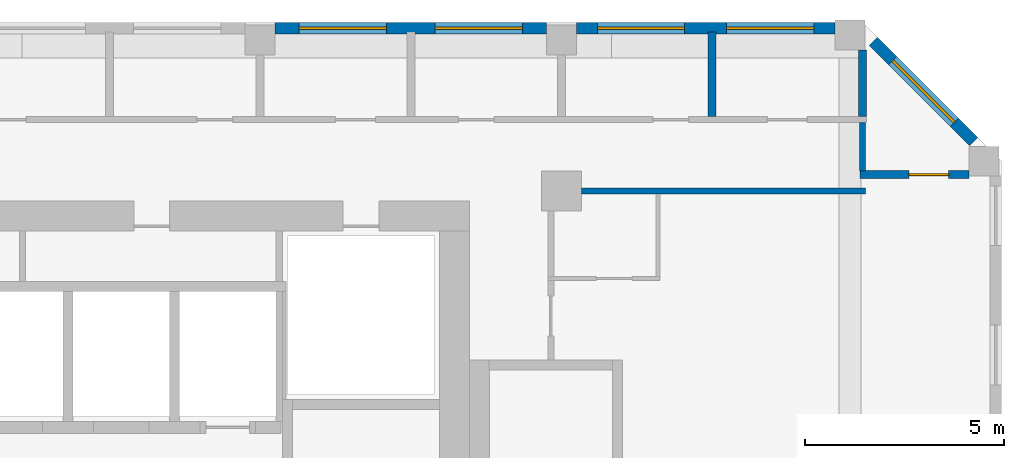
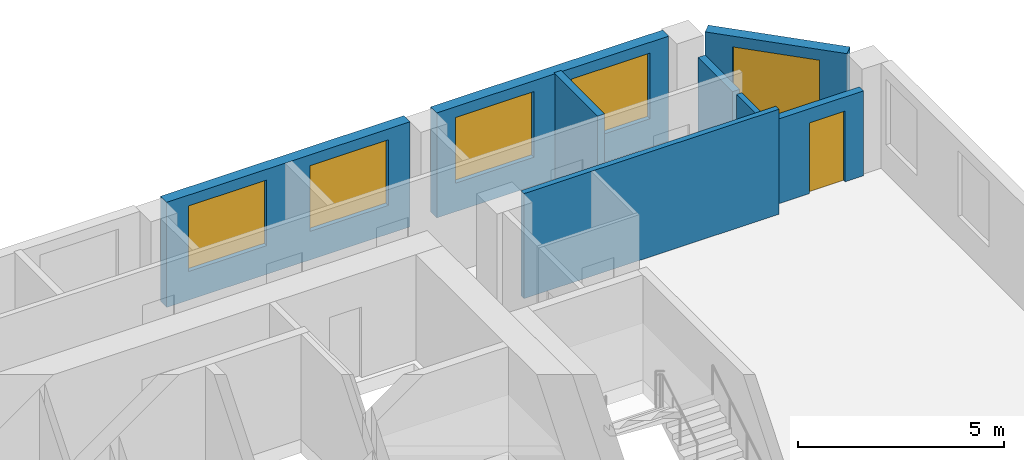
# One storey, part 11 of 16: 8 walls, 5 windows, 1 door, 6 openings.
"""IFC4 building model written with IfcOpenShell, lengths in metres."""

from ifc_helpers import new_model, si_unit, direction, frame, frame_2d, origin, place, context, subcontext, project, spatial, rectangle, extrude, source, transform, mapped, material, layer, layer_set, type_object, element, fill, save


model = new_model("IFC4")

# Units and contexts
model_context = context("Model", 3, precision=1e-05, world=origin(), true_north=direction((0.0, 1.0)))
body_context = subcontext(model_context, "Body", "Model", "MODEL_VIEW")
ifc_project = project(units=[si_unit("LENGTHUNIT", "METRE"), si_unit("AREAUNIT", "SQUARE_METRE"), si_unit("VOLUMEUNIT", "CUBIC_METRE"), si_unit("PLANEANGLEUNIT", "RADIAN"), si_unit("MASSUNIT", "GRAM", prefix="KILO")], contexts=[model_context])

# Site, building, storey
site_placement = place(None, origin())
site = spatial("IfcSite", under=ifc_project, at=site_placement, CompositionType="ELEMENT")
building_placement = place(site_placement, origin())
building = spatial("IfcBuilding", under=site, at=building_placement, Name="Kilnfold Tower and Market Hall", CompositionType="ELEMENT")
storey_placement = place(building_placement, frame((0.0, 0.0, 199.89990234375)))
storey = spatial("IfcBuildingStorey", under=building, at=storey_placement, Name="L48", CompositionType="ELEMENT", Elevation=199.89990234375)

# Walls
ifc_material_1 = material(Name="Gypsum board on steel studs", Category="steel")
ifc_layer_1 = layer(ifc_material_1, 0.14990234375)
ifc_layer_set_1 = layer_set([ifc_layer_1], Name="Gypsum board on steel studs")
wall_type_1 = type_object("IfcWallType", Name="WALL CORRIDOR 150", PredefinedType="PARTITIONING", material=ifc_layer_set_1)
wall_1_placement = place(storey_placement, frame((20.6669921875, 22.0, 0.0), z_axis=(0.0, 0.0, 1.0), x_axis=(1.0, 0.0, 0.0)))
element("IfcWall", 1, at=wall_1_placement, inside=storey, type_object=wall_type_1, Name="Partition LY30.22", PredefinedType="PARTITIONING", context=body_context, shape_type="SweptSolid", body=[
    extrude(rectangle(XDim=7.157958984375, YDim=0.14990234375, at=frame_2d((3.5791015625, 0.0))), origin(), (0.0, 0.0, 1.0), 3.1201171875),
])
wall_2_placement = place(storey_placement, frame((27.75, 22.5029296875, 0.0), z_axis=(0.0, 0.0, 1.0), x_axis=(0.0, 1.0, 0.0)))
element("IfcWall", 2, at=wall_2_placement, inside=storey, type_object=wall_type_1, Name="Partition LY30.24", PredefinedType="PARTITIONING", context=body_context, shape_type="SweptSolid", body=[
    extrude(rectangle(XDim=1.22216796875, YDim=0.14990234375, at=frame_2d((0.611083984375, 0.0))), origin(), (0.0, 0.0, 1.0), 2.52001953125),
])

# Wall, opening, door
ifc_material_2 = material(Name="Gypsum board on steel studs", Category="steel")
ifc_layer_2 = layer(ifc_material_2, 0.199951171875)
ifc_layer_set_2 = layer_set([ifc_layer_2], Name="Gypsum board on steel studs")
wall_type_2 = type_object("IfcWallType", Name="WALL PARTY 200", PredefinedType="PARTITIONING", material=ifc_layer_set_2)
wall_3_placement = place(storey_placement, frame((30.425048828125, 22.4130859375, 0.0), z_axis=(0.0, 0.0, 1.0), x_axis=(-1.0, 0.0, 0.0)))
wall_3 = element("IfcWall", 3, at=wall_3_placement, inside=storey, type_object=wall_type_2, Name="Partition LY30.95", PredefinedType="PARTITIONING", context=body_context, shape_type="SweptSolid", body=[
    extrude(rectangle(XDim=2.748046875, YDim=0.199951171875, at=frame_2d((1.3740234375, 0.0))), origin(), (0.0, 0.0, 1.0), 2.52001953125),
])
opening_1_placement = place(wall_3_placement, frame((0.510986328125, 0.0, 0.0)))
opening_1 = element("IfcOpeningElement", 4, at=opening_1_placement, cuts=wall_3, Name="Opening D4", PredefinedType="OPENING", context=body_context, shape_type="SweptSolid", body=[
    extrude(rectangle(XDim=1.0, YDim=2.10009765625, at=frame_2d((0.5, 1.050048828125))), frame((0.0, 0.10986328125, 0.0), z_axis=(0.0, -1.0, 0.0), x_axis=(1.0, 0.0, 0.0)), (0.0, 0.0, 1.0), 0.219970703125),
])
ifc_material_3 = material(Name="Timber veneer door leaf in steel frame", Category="steel")
door_type = type_object("IfcDoorType", Name="DOOR SERVICE 1000 X2100", OperationType="NOTDEFINED", PredefinedType="DOOR", material=ifc_material_3)
door_placement = place(opening_1_placement, origin())
door = element("IfcDoor", 5, at=door_placement, inside=storey, type_object=door_type, Name="Door D4", OperationType="SINGLE_SWING_RIGHT", OverallHeight=2.10009765625, OverallWidth=1.0, PredefinedType="DOOR", context=body_context, shape_type="SweptSolid", body=[
    extrude(rectangle(XDim=1.0, YDim=2.10009765625, at=frame_2d((0.5, 1.050048828125))), frame((0.0, 0.02490234375, 0.0), z_axis=(0.0, -1.0, 0.0), x_axis=(1.0, 0.0, 0.0)), (0.0, 0.0, 1.0), 0.050048828125),
])
fill(opening_1, door)

# Walls
wall_4_placement = place(storey_placement, frame((27.75, 25.556884765625, 0.0), z_axis=(0.0, 0.0, 1.0), x_axis=(0.0, -1.0, 0.0)))
element("IfcWall", 6, at=wall_4_placement, inside=storey, type_object=wall_type_2, Name="Partition LY30.96", PredefinedType="PARTITIONING", context=body_context, shape_type="SweptSolid", body=[
    extrude(rectangle(XDim=1.679931640625, YDim=0.199951171875, at=frame_2d((0.83984375, 0.0))), origin(), (0.0, 0.0, 1.0), 2.52001953125),
])
wall_5_placement = place(storey_placement, frame((23.958984375, 23.876953125, 0.0), z_axis=(0.0, 0.0, 1.0), x_axis=(0.0, 1.0, 0.0)))
element("IfcWall", 7, at=wall_5_placement, inside=storey, type_object=wall_type_2, Name="Partition LY30.109", PredefinedType="PARTITIONING", context=body_context, shape_type="SweptSolid", body=[
    extrude(rectangle(XDim=2.123046875, YDim=0.199951171875, at=frame_2d((1.0615234375, 0.0))), origin(), (0.0, 0.0, 1.0), 3.1201171875),
])

# Wall, openings, windows
ifc_material_4 = material(Name="Precast concrete C50/60", Category="concrete")
ifc_layer_3 = layer(ifc_material_4, 0.300048828125)
ifc_layer_set_3 = layer_set([ifc_layer_3], Name="Precast concrete C50/60")
wall_type_3 = type_object("IfcWallType", Name="PRECAST WALL 300", PredefinedType="SOLIDWALL", material=ifc_layer_set_3)
shared_shape_1 = source(origin(), body_context, "Body", "SweptSolid", [
    extrude(rectangle(XDim=6.83349609375, YDim=0.300048828125, at=frame_2d((3.416748046875, 0.0))), origin(), (0.0, 0.0, 1.0), 3.1201171875),
])
wall_6_placement = place(storey_placement, frame((19.791748046875, 26.10009765625, 0.0), z_axis=(0.0, 0.0, 1.0), x_axis=(-1.0, 0.0, 0.0)))
wall_6 = element("IfcWall", 8, at=wall_6_placement, inside=storey, type_object=wall_type_3, Name="External wall L48 N", PredefinedType="SOLIDWALL", context=body_context, shape_type="MappedRepresentation", body=[
    mapped(shared_shape_1, transform((0.0, 0.0, 0.0))),
])
opening_2_placement = place(wall_6_placement, frame((0.6083984375, 0.0, 0.85009765625)))
opening_2 = element("IfcOpeningElement", 9, at=opening_2_placement, cuts=wall_6, Name="Opening W2", PredefinedType="OPENING", context=body_context, shape_type="SweptSolid", body=[
    extrude(rectangle(XDim=2.199951171875, YDim=1.949951171875, at=frame_2d((1.10009765625, 0.97509765625))), frame((0.0, 0.16015625, 0.0), z_axis=(0.0, -1.0, 0.0), x_axis=(1.0, 0.0, 0.0)), (0.0, 0.0, 1.0), 0.320068359375),
])
opening_3_placement = place(wall_6_placement, frame((4.02490234375, 0.0, 0.85009765625)))
opening_3 = element("IfcOpeningElement", 10, at=opening_3_placement, cuts=wall_6, Name="Opening W2", PredefinedType="OPENING", context=body_context, shape_type="SweptSolid", body=[
    extrude(rectangle(XDim=2.199951171875, YDim=1.949951171875, at=frame_2d((1.10009765625, 0.97509765625))), frame((0.0, 0.16015625, 0.0), z_axis=(0.0, -1.0, 0.0), x_axis=(1.0, 0.0, 0.0)), (0.0, 0.0, 1.0), 0.320068359375),
])
ifc_material_5 = material(Name="Aluminium frame and double glazing", Category="aluminium")
window_type = type_object("IfcWindowType", Name="WINDOW W2 2200X1950", PartitioningType="SINGLE_PANEL", PredefinedType="WINDOW", material=ifc_material_5)
window_1_placement = place(opening_2_placement, origin())
window_1 = element("IfcWindow", 11, at=window_1_placement, inside=storey, type_object=window_type, Name="Window W2 L48 N-1", OverallHeight=1.949951171875, OverallWidth=2.199951171875, PartitioningType="SINGLE_PANEL", PredefinedType="WINDOW", context=body_context, shape_type="SweptSolid", body=[
    extrude(rectangle(XDim=2.199951171875, YDim=1.949951171875, at=frame_2d((1.10009765625, 0.97509765625))), frame((0.0, 0.030029296875, 0.0), z_axis=(0.0, -1.0, 0.0), x_axis=(1.0, 0.0, 0.0)), (0.0, 0.0, 1.0), 0.06005859375),
])
fill(opening_2, window_1)
window_2_placement = place(opening_3_placement, origin())
window_2 = element("IfcWindow", 12, at=window_2_placement, inside=storey, type_object=window_type, Name="Window W2 L48 N-2", OverallHeight=1.949951171875, OverallWidth=2.199951171875, PartitioningType="SINGLE_PANEL", PredefinedType="WINDOW", context=body_context, shape_type="SweptSolid", body=[
    extrude(rectangle(XDim=2.199951171875, YDim=1.949951171875, at=frame_2d((1.10009765625, 0.97509765625))), frame((0.0, 0.030029296875, 0.0), z_axis=(0.0, -1.0, 0.0), x_axis=(1.0, 0.0, 0.0)), (0.0, 0.0, 1.0), 0.06005859375),
])
fill(opening_3, window_2)

# Wall, opening, window
shared_shape_2 = source(origin(), body_context, "Body", "SweptSolid", [
    extrude(rectangle(XDim=3.571044921875, YDim=0.300048828125, at=frame_2d((1.78564453125, 0.0))), origin(), (0.0, 0.0, 1.0), 3.1201171875),
])
wall_7_placement = place(storey_placement, frame((30.5439453125, 23.243896484375, 0.0), z_axis=(0.0, 0.0, 1.0), x_axis=(-0.707140964879, 0.707072595841, 0.0)))
wall_7 = element("IfcWall", 13, at=wall_7_placement, inside=storey, type_object=wall_type_3, Name="External wall L48 NE", PredefinedType="SOLIDWALL", context=body_context, shape_type="MappedRepresentation", body=[
    mapped(shared_shape_2, transform((0.0, 0.0, 0.0))),
])
opening_4_placement = place(wall_7_placement, frame((0.685546875, 0.0, 0.85009765625)))
opening_4 = element("IfcOpeningElement", 14, at=opening_4_placement, cuts=wall_7, Name="Opening W2", PredefinedType="OPENING", context=body_context, shape_type="SweptSolid", body=[
    extrude(rectangle(XDim=2.199951171875, YDim=1.949951171875, at=frame_2d((1.10009765625, 0.97509765625))), frame((0.0, 0.16015625, 0.0), z_axis=(0.0, -1.0, 0.0), x_axis=(1.0, 0.0, 0.0)), (0.0, 0.0, 1.0), 0.320068359375),
])
window_3_placement = place(opening_4_placement, origin())
window_3 = element("IfcWindow", 15, at=window_3_placement, inside=storey, type_object=window_type, Name="Window W2 L48 NE-1", OverallHeight=1.949951171875, OverallWidth=2.199951171875, PartitioningType="SINGLE_PANEL", PredefinedType="WINDOW", context=body_context, shape_type="SweptSolid", body=[
    extrude(rectangle(XDim=2.199951171875, YDim=1.949951171875, at=frame_2d((1.10009765625, 0.97509765625))), frame((0.0, 0.030029296875, 0.0), z_axis=(0.0, -1.0, 0.0), x_axis=(1.0, 0.0, 0.0)), (0.0, 0.0, 1.0), 0.06005859375),
])
fill(opening_4, window_3)

# Wall, openings, windows
shared_shape_3 = source(origin(), body_context, "Body", "SweptSolid", [
    extrude(rectangle(XDim=6.51513671875, YDim=0.300048828125, at=frame_2d((3.257568359375, 0.0))), origin(), (0.0, 0.0, 1.0), 3.1201171875),
])
wall_8_placement = place(storey_placement, frame((27.056884765625, 26.10009765625, 0.0), z_axis=(0.0, 0.0, 1.0), x_axis=(-1.0, 0.0, 0.0)))
wall_8 = element("IfcWall", 16, at=wall_8_placement, inside=storey, type_object=wall_type_3, Name="External wall L48 N", PredefinedType="SOLIDWALL", context=body_context, shape_type="MappedRepresentation", body=[
    mapped(shared_shape_3, transform((0.0, 0.0, 0.0))),
])
opening_5_placement = place(wall_8_placement, frame((0.52880859375, 0.0, 0.85009765625)))
opening_5 = element("IfcOpeningElement", 17, at=opening_5_placement, cuts=wall_8, Name="Opening W2", PredefinedType="OPENING", context=body_context, shape_type="SweptSolid", body=[
    extrude(rectangle(XDim=2.199951171875, YDim=1.949951171875, at=frame_2d((1.10009765625, 0.97509765625))), frame((0.0, 0.16015625, 0.0), z_axis=(0.0, -1.0, 0.0), x_axis=(1.0, 0.0, 0.0)), (0.0, 0.0, 1.0), 0.320068359375),
])
opening_6_placement = place(wall_8_placement, frame((3.786376953125, 0.0, 0.85009765625)))
opening_6 = element("IfcOpeningElement", 18, at=opening_6_placement, cuts=wall_8, Name="Opening W2", PredefinedType="OPENING", context=body_context, shape_type="SweptSolid", body=[
    extrude(rectangle(XDim=2.199951171875, YDim=1.949951171875, at=frame_2d((1.10009765625, 0.97509765625))), frame((0.0, 0.16015625, 0.0), z_axis=(0.0, -1.0, 0.0), x_axis=(1.0, 0.0, 0.0)), (0.0, 0.0, 1.0), 0.320068359375),
])
window_4_placement = place(opening_5_placement, origin())
window_4 = element("IfcWindow", 19, at=window_4_placement, inside=storey, type_object=window_type, Name="Window W2 L48 N-1", OverallHeight=1.949951171875, OverallWidth=2.199951171875, PartitioningType="SINGLE_PANEL", PredefinedType="WINDOW", context=body_context, shape_type="SweptSolid", body=[
    extrude(rectangle(XDim=2.199951171875, YDim=1.949951171875, at=frame_2d((1.10009765625, 0.97509765625))), frame((0.0, 0.030029296875, 0.0), z_axis=(0.0, -1.0, 0.0), x_axis=(1.0, 0.0, 0.0)), (0.0, 0.0, 1.0), 0.06005859375),
])
fill(opening_5, window_4)
window_5_placement = place(opening_6_placement, origin())
window_5 = element("IfcWindow", 20, at=window_5_placement, inside=storey, type_object=window_type, Name="Window W2 L48 N-2", OverallHeight=1.949951171875, OverallWidth=2.199951171875, PartitioningType="SINGLE_PANEL", PredefinedType="WINDOW", context=body_context, shape_type="SweptSolid", body=[
    extrude(rectangle(XDim=2.199951171875, YDim=1.949951171875, at=frame_2d((1.10009765625, 0.97509765625))), frame((0.0, 0.030029296875, 0.0), z_axis=(0.0, -1.0, 0.0), x_axis=(1.0, 0.0, 0.0)), (0.0, 0.0, 1.0), 0.06005859375),
])
fill(opening_6, window_5)

save(model, "model.ifc")
